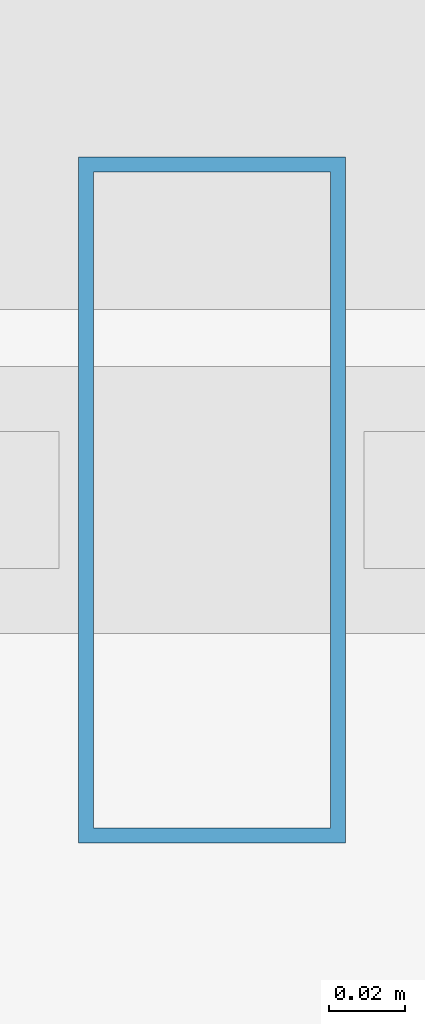
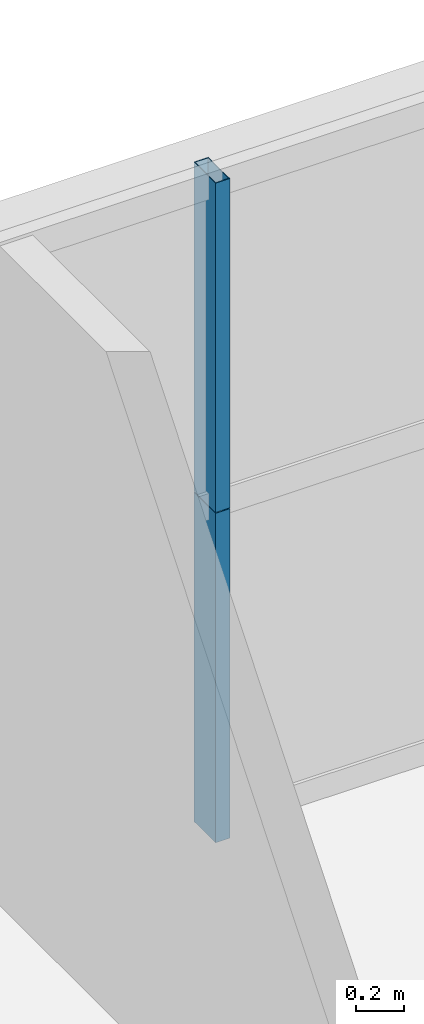
# One storey, part 35 of 43: 2 members, 1 element without a shape of its own.
"""IFC4 building model written with IfcOpenShell, lengths in metres."""

from ifc_helpers import new_model, si_unit, direction, frame, origin, origin_2d, place, context, subcontext, project, spatial, hollow_rectangle, extrude, source, transform, mapped, material, layer, layer_set, material_profile, profile_set, type_object, element, aggregate, save


model = new_model("IFC4")

# Units and contexts
model_context = context("Model", 3, precision=1e-05, world=origin(), true_north=direction((0.0, 1.0)))
body_context = subcontext(model_context, "Body", "Model", "MODEL_VIEW")
ifc_project = project(units=[si_unit("LENGTHUNIT", "METRE"), si_unit("AREAUNIT", "SQUARE_METRE"), si_unit("VOLUMEUNIT", "CUBIC_METRE"), si_unit("PLANEANGLEUNIT", "RADIAN"), si_unit("MASSUNIT", "GRAM", prefix="KILO"), si_unit("THERMODYNAMICTEMPERATUREUNIT", "KELVIN"), si_unit("POWERUNIT", "WATT")], contexts=[model_context])

# Site, building, storey
site_placement = place(None, origin())
site = spatial("IfcSite", under=ifc_project, at=site_placement, CompositionType="ELEMENT")
building_placement = place(site_placement, origin())
building = spatial("IfcBuilding", under=site, at=building_placement, Name="Yuzanri Waterfront Tower", CompositionType="ELEMENT")
storey_placement = place(building_placement, frame((0.0, 0.0, 53.199951171875)))
storey = spatial("IfcBuildingStorey", under=building, at=storey_placement, Name="L13", CompositionType="ELEMENT", Elevation=53.199951171875)

# Curtain wall, members
ifc_material_1 = material(Name="Anodized Architectural Bronze", Category="metal")
ifc_layer = layer(ifc_material_1, 0.159912109375)
ifc_layer_set = layer_set([ifc_layer], Name="Anodized Architectural Bronze")
curtain_wall_type = type_object("IfcCurtainWallType", Name="Anodized Bronze Hotel Lower-Tier Recessed Unitized Curtain Wall 8100", PredefinedType="NOTDEFINED", material=ifc_layer_set)
curtain_wall_placement = place(storey_placement, origin())
curtain_wall = element("IfcCurtainWall", 1, at=curtain_wall_placement, inside=storey, type_object=curtain_wall_type, Name="L13 Curtain Wall CW-L13-NR", PredefinedType="NOTDEFINED")
ifc_material_2 = material(Name="Anodized Architectural Bronze", Category="metal")
ifc_material_profile = material_profile(ifc_material_2, hollow_rectangle(XDim=0.070068359375, YDim=0.179931640625, WallThickness=0.00390625, at=origin_2d()), Name="CWM 70x180")
ifc_profile_set = profile_set([ifc_material_profile], Name="Anodized Architectural Bronze")
member_type = type_object("IfcMemberType", Name="Anodized Bronze Standard Curtain-Wall Mullion 70x180", PredefinedType="MULLION", material=ifc_profile_set)
shared_shape = source(origin(), body_context, "Body", "SweptSolid", [
    extrude(hollow_rectangle(XDim=0.070068359375, YDim=0.179931640625, WallThickness=0.00390625, at=origin_2d()), origin(), (0.0, 0.0, 1.0), 1.68798828125),
])
member_1_placement = place(storey_placement, frame((46.10009765625, 50.75, 0.0), z_axis=(0.0, 0.0, 1.0), x_axis=(1.0, 0.0, 0.0)))
member_1 = element("IfcMember", 2, at=member_1_placement, type_object=member_type, Name="CW-L13-NR Lower Mullion 01", PredefinedType="MULLION", context=body_context, shape_type="MappedRepresentation", body=[
    mapped(shared_shape, transform((0.0, 0.0, 0.0), scale=1.0)),
])
member_2_placement = place(storey_placement, frame((46.10009765625, 50.75, 1.692138671875), z_axis=(0.0, 0.0, 1.0), x_axis=(1.0, 0.0, 0.0)))
member_2 = element("IfcMember", 3, at=member_2_placement, type_object=member_type, Name="CW-L13-NR Upper Mullion 01", PredefinedType="MULLION", context=body_context, shape_type="MappedRepresentation", body=[
    mapped(shared_shape, transform((0.0, 0.0, 0.0), scale=1.0)),
])
aggregate(curtain_wall, [member_1, member_2])

save(model, "model.ifc")
